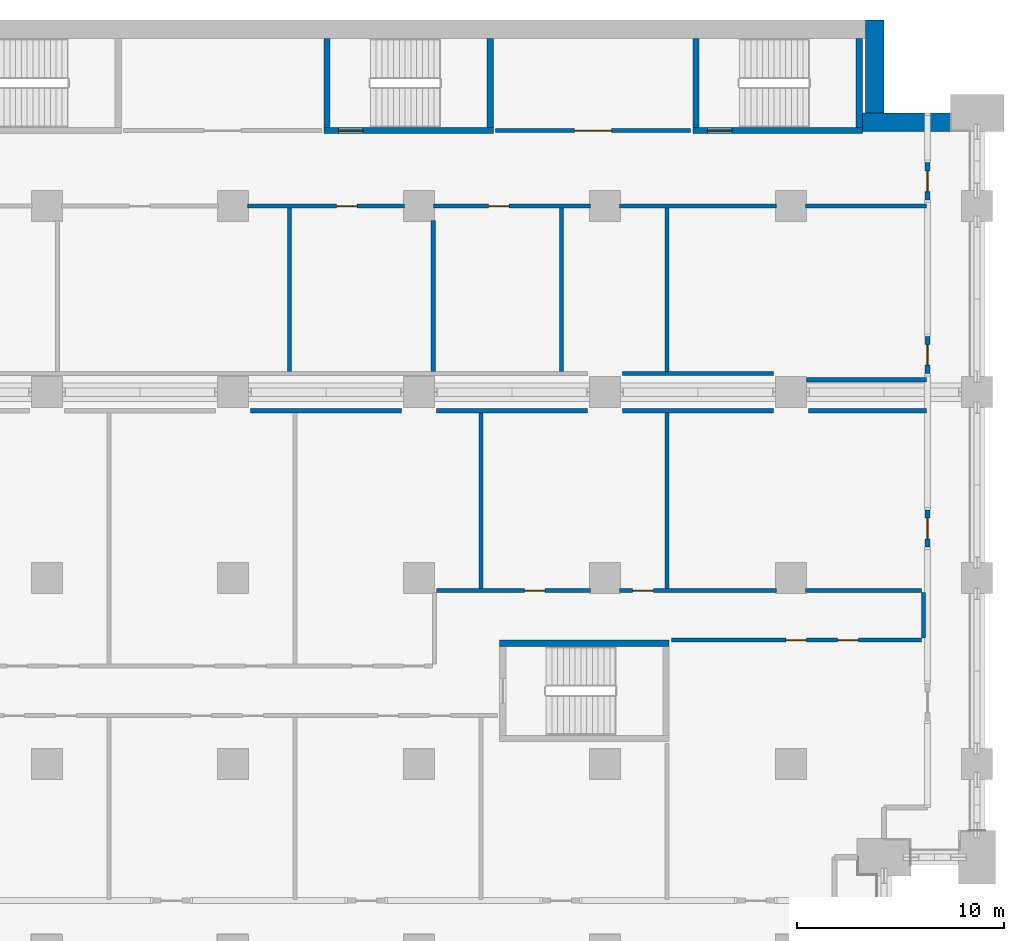
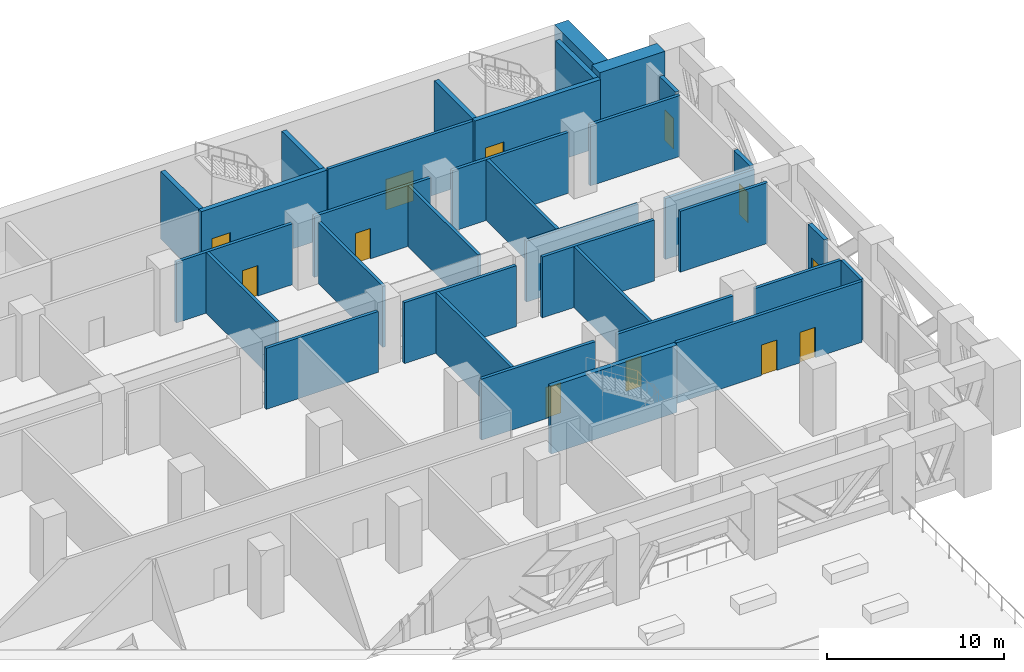
# One storey, part 19 of 31: 34 walls, 12 doors, 12 openings.
"""IFC4 building model written with IfcOpenShell, lengths in metres."""

import ifcopenshell
import ifcopenshell.guid

model = None  # the IFC model being written
_history = None  # IfcOwnerHistory: only IFC2X3 demands one
_inside = {}  # id of a spatial element -> (the spatial element, [elements in it])
_under = {}  # id of a project, library or spatial element -> (it, [spatial elements below it])
_declared = {}  # id of a project -> (the project, [libraries it declares])
_typed = {}  # id of a type object -> (the type object, [elements of that type])
_made_of = {}  # id of a material, layer set ... -> (it, [elements and type objects made of it])


def new_model(schema):
    """Start an empty IFC model of exactly this schema.

    Asked for "IFC4X3", IfcOpenShell would pick the latest addendum, in which some entities
    have other attributes; the version numbers below select the first issue.
    IFC2X3 requires an IfcOwnerHistory on every rooted entity: one is made here for all.
    """
    global model, _history
    if schema == "IFC4X3":
        model = ifcopenshell.file(schema_version=(4, 3, 0, 0))
    else:
        model = ifcopenshell.file(schema=schema)
    _inside.clear()
    _under.clear()
    _declared.clear()
    _typed.clear()
    _made_of.clear()
    _history = None
    if model.schema == "IFC2X3":
        org = make("IfcOrganization", Name="unknown")
        user = make(
            "IfcPersonAndOrganization",
            ThePerson=make("IfcPerson", FamilyName="unknown"),
            TheOrganization=org,
        )
        app = make(
            "IfcApplication",
            ApplicationDeveloper=org,
            Version="unknown",
            ApplicationFullName="unknown",
            ApplicationIdentifier="unknown",
        )
        _history = make(
            "IfcOwnerHistory",
            OwningUser=user,
            OwningApplication=app,
            ChangeAction="ADDED",
            CreationDate=0,
        )
    return model


def make(cls, **values):
    """One entity of the class cls with the attributes given. An attribute that is None is left unset."""
    return model.create_entity(
        cls, **{name: value for name, value in values.items() if value is not None}
    )


def rooted(cls, **values):
    """An entity with a GlobalId (a new one), such as an element, a storey or a relation."""
    return make(cls, GlobalId=ifcopenshell.guid.new(), OwnerHistory=_history, **values)


def si_unit(unit_type, name, prefix=None):
    """IfcSIUnit, for example si_unit("LENGTHUNIT", "METRE", prefix="MILLI")."""
    return make("IfcSIUnit", UnitType=unit_type, Prefix=prefix, Name=name)


def assignment(units):
    """IfcUnitAssignment: the units of a project."""
    return None if units is None else make("IfcUnitAssignment", Units=units)


def point(xyz):
    """IfcCartesianPoint."""
    return None if xyz is None else make("IfcCartesianPoint", Coordinates=xyz)


def direction(xyz):
    """IfcDirection."""
    return None if xyz is None else make("IfcDirection", DirectionRatios=xyz)


def frame(location, z_axis=None, x_axis=None):
    """IfcAxis2Placement3D, a coordinate frame: its origin and axes. An axis left out is left unset."""
    return make(
        "IfcAxis2Placement3D",
        Location=point(location),
        Axis=direction(z_axis),
        RefDirection=direction(x_axis),
    )


def frame_2d(location, x_axis=None):
    """IfcAxis2Placement2D, a coordinate frame in the plane: its origin and x axis."""
    return make(
        "IfcAxis2Placement2D", Location=point(location), RefDirection=direction(x_axis)
    )


def origin():
    """The frame at (0, 0, 0) with its axes left unset."""
    return frame((0.0, 0.0, 0.0))


def place(relative_to, where):
    """IfcLocalPlacement: puts the frame where relative to a parent placement (None: the world)."""
    return make(
        "IfcLocalPlacement", PlacementRelTo=relative_to, RelativePlacement=where
    )


def context(
    kind, dimensions, precision=None, world=None, true_north=None, identifier=None
):
    """IfcGeometricRepresentationContext, for example the 3D "Model" context."""
    return make(
        "IfcGeometricRepresentationContext",
        ContextIdentifier=identifier,
        ContextType=kind,
        CoordinateSpaceDimension=dimensions,
        Precision=precision,
        WorldCoordinateSystem=world,
        TrueNorth=true_north,
    )


def subcontext(parent, identifier, kind, view, scale=None):
    """IfcGeometricRepresentationSubContext, for example "Body" below "Model"."""
    return make(
        "IfcGeometricRepresentationSubContext",
        ContextIdentifier=identifier,
        ContextType=kind,
        ParentContext=parent,
        TargetScale=scale,
        TargetView=view,
    )


def project(units=None, contexts=None):
    """IfcProject with its units and contexts."""
    return rooted(
        "IfcProject",
        Name="project",
        RepresentationContexts=contexts,
        UnitsInContext=assignment(units),
    )


def spatial(cls, under=None, at=None, **own):
    """A site, building, storey or space (cls), placed at a placement, below another one or the project."""
    s = rooted(cls, ObjectPlacement=at, **own)
    if under is not None:
        _under.setdefault(under.id(), (under, []))[1].append(s)
    return s


def profile(cls, at=None, kind="AREA", **sizes):
    """A parametric profile (cls). Its sizes go by their IFC names, for example OverallWidth=200.0."""
    return make(cls, ProfileType=kind, Position=at, **sizes)


def rectangle(**sizes):
    """IfcRectangleProfileDef."""
    return profile("IfcRectangleProfileDef", **sizes)


def extrude(swept, where, along, depth):
    """IfcExtrudedAreaSolid: the profile swept, set in the frame where, extruded along a direction by depth."""
    return make(
        "IfcExtrudedAreaSolid",
        SweptArea=swept,
        Position=where,
        ExtrudedDirection=direction(along),
        Depth=depth,
    )


def shape(context_of_items, identifier, shape_type, items):
    """IfcShapeRepresentation: the items that make up one representation, for example the "Body"."""
    return make(
        "IfcShapeRepresentation",
        ContextOfItems=context_of_items,
        RepresentationIdentifier=identifier,
        RepresentationType=shape_type,
        Items=items,
    )


def material(Name=None, Category=None):
    """IfcMaterial."""
    return make("IfcMaterial", Name=Name, Category=Category)


def layer(
    of_material, thickness, ventilated=None, Name=None, Category=None, Priority=None
):
    """IfcMaterialLayer: one layer of a wall or slab, of a material (None: an air gap)."""
    return make(
        "IfcMaterialLayer",
        Material=of_material,
        LayerThickness=thickness,
        IsVentilated=ventilated,
        Name=Name,
        Category=Category,
        Priority=Priority,
    )


def layer_set(layers, Name=None):
    """IfcMaterialLayerSet."""
    return make("IfcMaterialLayerSet", MaterialLayers=layers, LayerSetName=Name)


def made_of(thing, what):
    """Note that an element or type object is made of a material, layer set ...; save() writes the relation."""
    if what is not None:
        _made_of.setdefault(what.id(), (what, []))[1].append(thing)
    return thing


def type_object(cls, material=None, **own):
    """A type object (cls), such as IfcWallType, which elements share."""
    return made_of(rooted(cls, **own), material)


def element(
    cls,
    number,
    at=None,
    inside=None,
    cuts=None,
    type_object=None,
    material=None,
    context=None,
    identifier="Body",
    shape_type=None,
    held_by="IfcProductDefinitionShape",
    body=None,
    shapes=None,
    **own,
):
    """One element of the class cls, such as IfcWall. Its Tag is "e" and its number.

    at: its placement. inside: the storey or other place that contains it. cuts: it is an
    opening in that element (IfcRelVoidsElement). A single representation is given by context,
    identifier, shape_type and body (its items); several are given by shapes. held_by: the class
    of the entity that holds the representations. save() writes the other relations.
    """
    e = rooted(cls, Tag="e%d" % number, ObjectPlacement=at, **own)
    if body is not None:
        shapes = [shape(context, identifier, shape_type, body)]
    if shapes is not None:
        e.Representation = make(held_by, Representations=shapes)
    if inside is not None:
        _inside.setdefault(inside.id(), (inside, []))[1].append(e)
    if cuts is not None:
        rooted(
            "IfcRelVoidsElement", RelatingBuildingElement=cuts, RelatedOpeningElement=e
        )
    if type_object is not None:
        _typed.setdefault(type_object.id(), (type_object, []))[1].append(e)
    return made_of(e, material)


def fill(opening, filler):
    """IfcRelFillsElement: the door or window that sits in an opening."""
    return rooted(
        "IfcRelFillsElement",
        RelatingOpeningElement=opening,
        RelatedBuildingElement=filler,
    )


def aggregate(whole, parts):
    """IfcRelAggregates: a whole, such as a stair, and the parts it consists of."""
    return rooted("IfcRelAggregates", RelatingObject=whole, RelatedObjects=parts)


def save(model, path):
    """Write the relations noted so far, then the file.

    IfcRelAggregates (storeys below a building ...), IfcRelContainedInSpatialStructure (elements
    in a storey), IfcRelDefinesByType, IfcRelAssociatesMaterial and IfcRelDeclares: one each for
    every whole, place, type object, material and project.
    """
    for whole, parts in _under.values():
        aggregate(whole, parts)
    for where, things in _inside.values():
        rooted(
            "IfcRelContainedInSpatialStructure",
            RelatedElements=things,
            RelatingStructure=where,
        )
    for kind, things in _typed.values():
        rooted("IfcRelDefinesByType", RelatedObjects=things, RelatingType=kind)
    for what, things in _made_of.values():
        rooted("IfcRelAssociatesMaterial", RelatedObjects=things, RelatingMaterial=what)
    for by, libraries in _declared.values():
        rooted("IfcRelDeclares", RelatingContext=by, RelatedDefinitions=libraries)
    model.write(path)


model = new_model("IFC4")

# Units and contexts
model_context = context("Model", 3, precision=1e-05, world=origin(), true_north=direction((0.0, 1.0)))
body_context = subcontext(model_context, "Body", "Model", "MODEL_VIEW")
ifc_project = project(units=[si_unit("LENGTHUNIT", "METRE"), si_unit("AREAUNIT", "SQUARE_METRE"), si_unit("VOLUMEUNIT", "CUBIC_METRE"), si_unit("PLANEANGLEUNIT", "RADIAN"), si_unit("MASSUNIT", "GRAM", prefix="KILO")], contexts=[model_context])

# Site, building, storey
site_placement = place(None, origin())
site = spatial("IfcSite", under=ifc_project, at=site_placement, CompositionType="ELEMENT")
building_placement = place(site_placement, origin())
building = spatial("IfcBuilding", under=site, at=building_placement, Name="Hunhe Ridgeline Campus", CompositionType="ELEMENT")
storey_placement = place(building_placement, frame((0.0, 0.0, 31.199951171875)))
storey = spatial("IfcBuildingStorey", under=building, at=storey_placement, Name="L06", CompositionType="ELEMENT", Elevation=31.199951171875)

# Wall, openings, doors
ifc_material_1 = material(Name="Gypsum board partition")
ifc_layer_1 = layer(ifc_material_1, 0.199951171875)
ifc_layer_set_1 = layer_set([ifc_layer_1], Name="Corridor partition 200 gypsum board on steel studs")
wall_type_1 = type_object("IfcWallType", Name="Corridor partition 200 gypsum board on steel studs", PredefinedType="PARTITIONING", material=ifc_layer_set_1)
wall_1_placement = place(storey_placement, frame((96.300048828125, 69.0, 0.0), z_axis=(0.0, 0.0, 1.0), x_axis=(-1.0, 0.0, 0.0)))
wall_1 = element("IfcWall", 1, at=wall_1_placement, inside=storey, type_object=wall_type_1, Name="F-L06-wall-030", PredefinedType="PARTITIONING", context=body_context, shape_type="SweptSolid", body=[
    extrude(rectangle(XDim=12.095947265625, YDim=0.199951171875, at=frame_2d((6.0478515625, 0.0))), origin(), (0.0, 0.0, 1.0), 4.199951171875),
])
opening_1_placement = place(wall_1_placement, frame((5.548095703125, 0.0, 0.0)))
opening_1 = element("IfcOpeningElement", 2, at=opening_1_placement, cuts=wall_1, Name="Opening RD1-034", PredefinedType="OPENING", context=body_context, shape_type="SweptSolid", body=[
    extrude(rectangle(XDim=1.0, YDim=2.10009765625, at=frame_2d((0.5, 1.050048828125))), frame((0.0, 0.10009765625, 0.0), z_axis=(0.0, -1.0, 0.0), x_axis=(1.0, 0.0, 0.0)), (0.0, 0.0, 1.0), 0.199951171875),
])
opening_2_placement = place(wall_1_placement, frame((3.048095703125, 0.0, 0.0)))
opening_2 = element("IfcOpeningElement", 3, at=opening_2_placement, cuts=wall_1, Name="Opening RD1-035", PredefinedType="OPENING", context=body_context, shape_type="SweptSolid", body=[
    extrude(rectangle(XDim=1.0, YDim=2.10009765625, at=frame_2d((0.5, 1.050048828125))), frame((0.0, 0.10009765625, 0.0), z_axis=(0.0, -1.0, 0.0), x_axis=(1.0, 0.0, 0.0)), (0.0, 0.0, 1.0), 0.199951171875),
])
ifc_material_2 = material(Name="Timber door leaf", Category="wood")
door_type_1 = type_object("IfcDoorType", Name="Single fire door 1000x2100 timber FD60", OperationType="NOTDEFINED", PredefinedType="DOOR", material=ifc_material_2)
door_1_placement = place(opening_1_placement, frame((1.0, 0.0, 0.0), z_axis=(0.0, 0.0, 1.0), x_axis=(-1.0, 0.0, 0.0)))
door_1 = element("IfcDoor", 4, at=door_1_placement, inside=storey, type_object=door_type_1, Name="F-L06-door-034", OperationType="SINGLE_SWING_RIGHT", OverallHeight=2.10009765625, OverallWidth=1.0, PredefinedType="DOOR", context=body_context, shape_type="SweptSolid", body=[
    extrude(rectangle(XDim=1.0, YDim=2.10009765625, at=frame_2d((0.5, 1.050048828125))), frame((0.0, 0.02490234375, 0.0), z_axis=(0.0, -1.0, 0.0), x_axis=(1.0, 0.0, 0.0)), (0.0, 0.0, 1.0), 0.050048828125),
])
fill(opening_1, door_1)
door_2_placement = place(opening_2_placement, frame((1.0, 0.0, 0.0), z_axis=(0.0, 0.0, 1.0), x_axis=(-1.0, 0.0, 0.0)))
door_2 = element("IfcDoor", 5, at=door_2_placement, inside=storey, type_object=door_type_1, Name="F-L06-door-035", OperationType="SINGLE_SWING_RIGHT", OverallHeight=2.10009765625, OverallWidth=1.0, PredefinedType="DOOR", context=body_context, shape_type="SweptSolid", body=[
    extrude(rectangle(XDim=1.0, YDim=2.10009765625, at=frame_2d((0.5, 1.050048828125))), frame((0.0, 0.02490234375, 0.0), z_axis=(0.0, -1.0, 0.0), x_axis=(1.0, 0.0, 0.0)), (0.0, 0.0, 1.0), 0.050048828125),
])
fill(opening_2, door_2)

# Wall, opening, door
wall_2_placement = place(storey_placement, frame((72.85009765625, 71.39990234375, 0.0), z_axis=(0.0, 0.0, 1.0), x_axis=(1.0, 0.0, 0.0)))
wall_2 = element("IfcWall", 6, at=wall_2_placement, inside=storey, type_object=wall_type_1, Name="F-L06-wall-031", PredefinedType="PARTITIONING", context=body_context, shape_type="SweptSolid", body=[
    extrude(rectangle(XDim=7.449951171875, YDim=0.199951171875, at=frame_2d((3.72509765625, 0.0))), origin(), (0.0, 0.0, 1.0), 4.199951171875),
])
opening_3_placement = place(wall_2_placement, frame((4.252685546875, 0.0, 0.0)))
opening_3 = element("IfcOpeningElement", 7, at=opening_3_placement, cuts=wall_2, Name="Opening RD1-036", PredefinedType="OPENING", context=body_context, shape_type="SweptSolid", body=[
    extrude(rectangle(XDim=1.0, YDim=2.10009765625, at=frame_2d((0.5, 1.050048828125))), frame((0.0, 0.10009765625, 0.0), z_axis=(0.0, -1.0, 0.0), x_axis=(1.0, 0.0, 0.0)), (0.0, 0.0, 1.0), 0.199951171875),
])
door_3_placement = place(opening_3_placement, frame((1.0, 0.0, 0.0), z_axis=(0.0, 0.0, 1.0), x_axis=(-1.0, 0.0, 0.0)))
door_3 = element("IfcDoor", 8, at=door_3_placement, inside=storey, type_object=door_type_1, Name="F-L06-door-036", OperationType="SINGLE_SWING_LEFT", OverallHeight=2.10009765625, OverallWidth=1.0, PredefinedType="DOOR", context=body_context, shape_type="SweptSolid", body=[
    extrude(rectangle(XDim=1.0, YDim=2.10009765625, at=frame_2d((0.5, 1.050048828125))), frame((0.0, 0.02490234375, 0.0), z_axis=(0.0, -1.0, 0.0), x_axis=(1.0, 0.0, 0.0)), (0.0, 0.0, 1.0), 0.050048828125),
])
fill(opening_3, door_3)

wall_3_placement = place(storey_placement, frame((81.699951171875, 71.39990234375, 0.0), z_axis=(0.0, 0.0, 1.0), x_axis=(1.0, 0.0, 0.0)))
wall_3 = element("IfcWall", 9, at=wall_3_placement, inside=storey, type_object=wall_type_1, Name="F-L06-wall-032", PredefinedType="PARTITIONING", context=body_context, shape_type="SweptSolid", body=[
    extrude(rectangle(XDim=7.60009765625, YDim=0.199951171875, at=frame_2d((3.800048828125, 0.0))), origin(), (0.0, 0.0, 1.0), 4.199951171875),
])
opening_4_placement = place(wall_3_placement, frame((0.639892578125, 0.0, 0.0)))
opening_4 = element("IfcOpeningElement", 10, at=opening_4_placement, cuts=wall_3, Name="Opening RD1-037", PredefinedType="OPENING", context=body_context, shape_type="SweptSolid", body=[
    extrude(rectangle(XDim=1.0, YDim=2.10009765625, at=frame_2d((0.5, 1.050048828125))), frame((0.0, 0.10009765625, 0.0), z_axis=(0.0, -1.0, 0.0), x_axis=(1.0, 0.0, 0.0)), (0.0, 0.0, 1.0), 0.199951171875),
])
door_4_placement = place(opening_4_placement, frame((1.0, 0.0, 0.0), z_axis=(0.0, 0.0, 1.0), x_axis=(-1.0, 0.0, 0.0)))
door_4 = element("IfcDoor", 11, at=door_4_placement, inside=storey, type_object=door_type_1, Name="F-L06-door-037", OperationType="SINGLE_SWING_LEFT", OverallHeight=2.10009765625, OverallWidth=1.0, PredefinedType="DOOR", context=body_context, shape_type="SweptSolid", body=[
    extrude(rectangle(XDim=1.0, YDim=2.10009765625, at=frame_2d((0.5, 1.050048828125))), frame((0.0, 0.02490234375, 0.0), z_axis=(0.0, -1.0, 0.0), x_axis=(1.0, 0.0, 0.0)), (0.0, 0.0, 1.0), 0.050048828125),
])
fill(opening_4, door_4)

# Walls
wall_4_placement = place(storey_placement, frame((90.699951171875, 71.39990234375, 0.0), z_axis=(0.0, 0.0, 1.0), x_axis=(1.0, 0.0, 0.0)))
element("IfcWall", 12, at=wall_4_placement, inside=storey, type_object=wall_type_1, Name="F-L06-wall-033", PredefinedType="PARTITIONING", context=body_context, shape_type="SweptSolid", body=[
    extrude(rectangle(XDim=5.60009765625, YDim=0.199951171875, at=frame_2d((2.800048828125, 0.0))), origin(), (0.0, 0.0, 1.0), 4.199951171875),
])
for number, where, z_axis, x_axis, name in (
    (13, (63.85009765625, 80.10009765625, 0.0), (0.0, 0.0, 1.0), (1.0, 0.0, 0.0), "F-L06-wall-037"),
    (14, (72.85009765625, 80.10009765625, 0.0), (0.0, 0.0, 1.0), (1.0, 0.0, 0.0), "F-L06-wall-038"),
    (15, (81.85009765625, 80.10009765625, 0.0), (0.0, 0.0, 1.0), (1.0, 0.0, 0.0), "F-L06-wall-039"),
):
    element("IfcWall", number, at=place(storey_placement, frame(where, z_axis=z_axis, x_axis=x_axis)), inside=storey, type_object=wall_type_1, Name=name, PredefinedType="PARTITIONING", context=body_context, shape_type="SweptSolid", body=[
        extrude(rectangle(XDim=7.2998046875, YDim=0.199951171875, at=frame_2d((3.64990234375, 0.0))), origin(), (0.0, 0.0, 1.0), 4.199951171875),
    ])
wall_5_placement = place(storey_placement, frame((90.85009765625, 80.10009765625, 0.0), z_axis=(0.0, 0.0, 1.0), x_axis=(1.0, 0.0, 0.0)))
element("IfcWall", 16, at=wall_5_placement, inside=storey, type_object=wall_type_1, Name="F-L06-wall-040", PredefinedType="PARTITIONING", context=body_context, shape_type="SweptSolid", body=[
    extrude(rectangle(XDim=5.69482421875, YDim=0.199951171875, at=frame_2d((2.847412109375, 0.0))), origin(), (0.0, 0.0, 1.0), 4.199951171875),
])
wall_6_placement = place(storey_placement, frame((90.75, 81.60009765625, 0.0), z_axis=(0.0, 0.0, 1.0), x_axis=(1.0, 0.0, 0.0)))
element("IfcWall", 17, at=wall_6_placement, inside=storey, type_object=wall_type_1, Name="F-L06-wall-041", PredefinedType="PARTITIONING", context=body_context, shape_type="SweptSolid", body=[
    extrude(rectangle(XDim=5.794921875, YDim=0.199951171875, at=frame_2d((2.8974609375, 0.0))), origin(), (0.0, 0.0, 1.0), 4.199951171875),
])
wall_7_placement = place(storey_placement, frame((81.85009765625, 81.89990234375, 0.0), z_axis=(0.0, 0.0, 1.0), x_axis=(1.0, 0.0, 0.0)))
element("IfcWall", 18, at=wall_7_placement, inside=storey, type_object=wall_type_1, Name="F-L06-wall-043", PredefinedType="PARTITIONING", context=body_context, shape_type="SweptSolid", body=[
    extrude(rectangle(XDim=7.2998046875, YDim=0.199951171875, at=frame_2d((3.64990234375, 0.0))), origin(), (0.0, 0.0, 1.0), 4.199951171875),
])
wall_8_placement = place(storey_placement, frame((96.544921875, 90.0, 0.0), z_axis=(0.0, 0.0, 1.0), x_axis=(-1.0, 0.0, 0.0)))
element("IfcWall", 19, at=wall_8_placement, inside=storey, type_object=wall_type_1, Name="F-L06-wall-044", PredefinedType="PARTITIONING", context=body_context, shape_type="SweptSolid", body=[
    extrude(rectangle(XDim=5.844970703125, YDim=0.199951171875, at=frame_2d((2.92236328125, 0.0))), origin(), (0.0, 0.0, 1.0), 4.199951171875),
])

# Wall, opening, door
wall_9_placement = place(storey_placement, frame((71.300048828125, 90.0, 0.0), z_axis=(0.0, 0.0, 1.0), x_axis=(-1.0, 0.0, 0.0)))
wall_9 = element("IfcWall", 20, at=wall_9_placement, inside=storey, type_object=wall_type_1, Name="F-L06-wall-048", PredefinedType="PARTITIONING", context=body_context, shape_type="SweptSolid", body=[
    extrude(rectangle(XDim=7.60009765625, YDim=0.199951171875, at=frame_2d((3.800048828125, 0.0))), origin(), (0.0, 0.0, 1.0), 4.199951171875),
])
opening_5_placement = place(wall_9_placement, frame((2.28662109375, 0.0, 0.0)))
opening_5 = element("IfcOpeningElement", 21, at=opening_5_placement, cuts=wall_9, Name="Opening RD1-043", PredefinedType="OPENING", context=body_context, shape_type="SweptSolid", body=[
    extrude(rectangle(XDim=1.0, YDim=2.10009765625, at=frame_2d((0.5, 1.050048828125))), frame((0.0, 0.10009765625, 0.0), z_axis=(0.0, -1.0, 0.0), x_axis=(1.0, 0.0, 0.0)), (0.0, 0.0, 1.0), 0.199951171875),
])
door_5_placement = place(opening_5_placement, frame((1.0, 0.0, 0.0), z_axis=(0.0, 0.0, 1.0), x_axis=(-1.0, 0.0, 0.0)))
door_5 = element("IfcDoor", 22, at=door_5_placement, inside=storey, type_object=door_type_1, Name="F-L06-door-043", OperationType="SINGLE_SWING_RIGHT", OverallHeight=2.10009765625, OverallWidth=1.0, PredefinedType="DOOR", context=body_context, shape_type="SweptSolid", body=[
    extrude(rectangle(XDim=1.0, YDim=2.10009765625, at=frame_2d((0.5, 1.050048828125))), frame((0.0, 0.02490234375, 0.0), z_axis=(0.0, -1.0, 0.0), x_axis=(1.0, 0.0, 0.0)), (0.0, 0.0, 1.0), 0.050048828125),
])
fill(opening_5, door_5)

wall_10_placement = place(storey_placement, frame((80.300048828125, 90.0, 0.0), z_axis=(0.0, 0.0, 1.0), x_axis=(-1.0, 0.0, 0.0)))
wall_10 = element("IfcWall", 23, at=wall_10_placement, inside=storey, type_object=wall_type_1, Name="F-L06-wall-049", PredefinedType="PARTITIONING", context=body_context, shape_type="SweptSolid", body=[
    extrude(rectangle(XDim=7.60009765625, YDim=0.199951171875, at=frame_2d((3.800048828125, 0.0))), origin(), (0.0, 0.0, 1.0), 4.199951171875),
])
opening_6_placement = place(wall_10_placement, frame((3.933349609375, 0.0, 0.0)))
opening_6 = element("IfcOpeningElement", 24, at=opening_6_placement, cuts=wall_10, Name="Opening RD1-044", PredefinedType="OPENING", context=body_context, shape_type="SweptSolid", body=[
    extrude(rectangle(XDim=1.0, YDim=2.10009765625, at=frame_2d((0.5, 1.050048828125))), frame((0.0, 0.10009765625, 0.0), z_axis=(0.0, -1.0, 0.0), x_axis=(1.0, 0.0, 0.0)), (0.0, 0.0, 1.0), 0.199951171875),
])
door_6_placement = place(opening_6_placement, frame((1.0, 0.0, 0.0), z_axis=(0.0, 0.0, 1.0), x_axis=(-1.0, 0.0, 0.0)))
door_6 = element("IfcDoor", 25, at=door_6_placement, inside=storey, type_object=door_type_1, Name="F-L06-door-044", OperationType="SINGLE_SWING_RIGHT", OverallHeight=2.10009765625, OverallWidth=1.0, PredefinedType="DOOR", context=body_context, shape_type="SweptSolid", body=[
    extrude(rectangle(XDim=1.0, YDim=2.10009765625, at=frame_2d((0.5, 1.050048828125))), frame((0.0, 0.02490234375, 0.0), z_axis=(0.0, -1.0, 0.0), x_axis=(1.0, 0.0, 0.0)), (0.0, 0.0, 1.0), 0.050048828125),
])
fill(opening_6, door_6)

# Wall
wall_11_placement = place(storey_placement, frame((89.300048828125, 90.0, 0.0), z_axis=(0.0, 0.0, 1.0), x_axis=(-1.0, 0.0, 0.0)))
element("IfcWall", 26, at=wall_11_placement, inside=storey, type_object=wall_type_1, Name="F-L06-wall-050", PredefinedType="PARTITIONING", context=body_context, shape_type="SweptSolid", body=[
    extrude(rectangle(XDim=7.60009765625, YDim=0.199951171875, at=frame_2d((3.800048828125, 0.0))), origin(), (0.0, 0.0, 1.0), 4.199951171875),
])

# Wall, opening, door
wall_12_placement = place(storey_placement, frame((75.7041015625, 93.64990234375, 0.0), z_axis=(0.0, 0.0, 1.0), x_axis=(1.0, 0.0, 0.0)))
wall_12 = element("IfcWall", 27, at=wall_12_placement, inside=storey, type_object=wall_type_1, Name="F-L06-wall-053", PredefinedType="PARTITIONING", context=body_context, shape_type="SweptSolid", body=[
    extrude(rectangle(XDim=9.44189453125, YDim=0.199951171875, at=frame_2d((4.720947265625, 0.0))), origin(), (0.0, 0.0, 1.0), 4.199951171875),
])
opening_7_placement = place(wall_12_placement, frame((3.821044921875, 0.0, 0.0)))
opening_7 = element("IfcOpeningElement", 28, at=opening_7_placement, cuts=wall_12, Name="Opening RD2-047", PredefinedType="OPENING", context=body_context, shape_type="SweptSolid", body=[
    extrude(rectangle(XDim=1.800048828125, YDim=2.10009765625, at=frame_2d((0.89990234375, 1.050048828125))), frame((0.0, 0.10009765625, 0.0), z_axis=(0.0, -1.0, 0.0), x_axis=(1.0, 0.0, 0.0)), (0.0, 0.0, 1.0), 0.199951171875),
])
door_type_2 = type_object("IfcDoorType", Name="Double fire door 1800x2100 timber FD60", OperationType="DOUBLE_DOOR_SINGLE_SWING", PredefinedType="DOOR", material=ifc_material_2)
door_7_placement = place(opening_7_placement, origin())
door_7 = element("IfcDoor", 29, at=door_7_placement, inside=storey, type_object=door_type_2, Name="F-L06-door-047", OperationType="DOUBLE_DOOR_SINGLE_SWING", OverallHeight=2.10009765625, OverallWidth=1.800048828125, PredefinedType="DOOR", context=body_context, shape_type="SweptSolid", body=[
    extrude(rectangle(XDim=1.800048828125, YDim=2.10009765625, at=frame_2d((0.89990234375, 1.050048828125))), frame((0.0, 0.02490234375, 0.0), z_axis=(0.0, -1.0, 0.0), x_axis=(1.0, 0.0, 0.0)), (0.0, 0.0, 1.0), 0.050048828125),
])
fill(opening_7, door_7)

# Walls
wall_13_placement = place(storey_placement, frame((65.738037109375, 89.89990234375, 0.0), z_axis=(0.0, 0.0, 1.0), x_axis=(0.0, -1.0, 0.0)))
element("IfcWall", 30, at=wall_13_placement, inside=storey, type_object=wall_type_1, Name="F-L06-wall-078", PredefinedType="PARTITIONING", context=body_context, shape_type="SweptSolid", body=[
    extrude(rectangle(XDim=7.89990234375, YDim=0.199951171875, at=frame_2d((3.949951171875, 0.0))), origin(), (0.0, 0.0, 1.0), 4.199951171875),
])
wall_14_placement = place(storey_placement, frame((72.68994140625, 89.300048828125, 0.0), z_axis=(0.0, 0.0, 1.0), x_axis=(0.0, -1.0, 0.0)))
element("IfcWall", 31, at=wall_14_placement, inside=storey, type_object=wall_type_1, Name="F-L06-wall-081", PredefinedType="PARTITIONING", context=body_context, shape_type="SweptSolid", body=[
    extrude(rectangle(XDim=7.300048828125, YDim=0.199951171875, at=frame_2d((3.64990234375, 0.0))), origin(), (0.0, 0.0, 1.0), 4.199951171875),
])
wall_15_placement = place(storey_placement, frame((75.0, 80.0, 0.0), z_axis=(0.0, 0.0, 1.0), x_axis=(0.0, -1.0, 0.0)))
element("IfcWall", 32, at=wall_15_placement, inside=storey, type_object=wall_type_1, Name="F-L06-wall-084", PredefinedType="PARTITIONING", context=body_context, shape_type="SweptSolid", body=[
    extrude(rectangle(XDim=8.5, YDim=0.199951171875, at=frame_2d((4.25, 0.0))), origin(), (0.0, 0.0, 1.0), 4.199951171875),
])
wall_16_placement = place(storey_placement, frame((78.89306640625, 89.89990234375, 0.0), z_axis=(0.0, 0.0, 1.0), x_axis=(0.0, -1.0, 0.0)))
element("IfcWall", 33, at=wall_16_placement, inside=storey, type_object=wall_type_1, Name="F-L06-wall-085", PredefinedType="PARTITIONING", context=body_context, shape_type="SweptSolid", body=[
    extrude(rectangle(XDim=7.89990234375, YDim=0.199951171875, at=frame_2d((3.949951171875, 0.0))), origin(), (0.0, 0.0, 1.0), 4.199951171875),
])
wall_17_placement = place(storey_placement, frame((84.0, 80.0, 0.0), z_axis=(0.0, 0.0, 1.0), x_axis=(0.0, -1.0, 0.0)))
element("IfcWall", 34, at=wall_17_placement, inside=storey, type_object=wall_type_1, Name="F-L06-wall-087", PredefinedType="PARTITIONING", context=body_context, shape_type="SweptSolid", body=[
    extrude(rectangle(XDim=8.5, YDim=0.199951171875, at=frame_2d((4.25, 0.0))), origin(), (0.0, 0.0, 1.0), 4.199951171875),
])
wall_18_placement = place(storey_placement, frame((84.0, 89.89990234375, 0.0), z_axis=(0.0, 0.0, 1.0), x_axis=(0.0, -1.0, 0.0)))
element("IfcWall", 35, at=wall_18_placement, inside=storey, type_object=wall_type_1, Name="F-L06-wall-088", PredefinedType="PARTITIONING", context=body_context, shape_type="SweptSolid", body=[
    extrude(rectangle(XDim=7.89990234375, YDim=0.199951171875, at=frame_2d((3.949951171875, 0.0))), origin(), (0.0, 0.0, 1.0), 4.199951171875),
])
wall_19_placement = place(storey_placement, frame((96.39990234375, 71.300048828125, 0.0), z_axis=(0.0, 0.0, 1.0), x_axis=(0.0, -1.0, 0.0)))
element("IfcWall", 36, at=wall_19_placement, inside=storey, type_object=wall_type_1, Name="F-L06-wall-089", PredefinedType="PARTITIONING", context=body_context, shape_type="SweptSolid", body=[
    extrude(rectangle(XDim=2.199951171875, YDim=0.199951171875, at=frame_2d((1.10009765625, 0.0))), origin(), (0.0, 0.0, 1.0), 4.199951171875),
])

# Wall, opening, door
ifc_material_3 = material(Name="Concrete C30", Category="concrete")
ifc_layer_2 = layer(ifc_material_3, 0.25)
ifc_layer_set_2 = layer_set([ifc_layer_2], Name="Loggia door pier wall 250 Concrete C30")
wall_type_2 = type_object("IfcWallType", Name="Loggia door pier wall 250 Concrete C30", PredefinedType="SOLIDWALL", material=ifc_layer_set_2)
wall_20_placement = place(storey_placement, frame((96.59912109375, 73.500732421875, 0.0), z_axis=(0.0, 0.0, 1.0), x_axis=(0.0, 1.0, 0.0)))
wall_20 = element("IfcWall", 37, at=wall_20_placement, inside=storey, type_object=wall_type_2, Name="Loggia door pier 18", PredefinedType="SOLIDWALL", context=body_context, shape_type="SweptSolid", body=[
    extrude(rectangle(XDim=1.7998046875, YDim=0.25, at=frame_2d((0.89990234375, 0.0))), origin(), (0.0, 0.0, 1.0), 4.199951171875),
])
opening_8_placement = place(wall_20_placement, frame((0.39990234375, 0.0, 0.0)))
opening_8 = element("IfcOpeningElement", 38, at=opening_8_placement, cuts=wall_20, Name="Opening BR118", PredefinedType="OPENING", context=body_context, shape_type="SweptSolid", body=[
    extrude(rectangle(XDim=1.0, YDim=2.10009765625, at=frame_2d((0.5, 1.050048828125))), frame((0.0, 0.125, 0.0), z_axis=(0.0, -1.0, 0.0), x_axis=(1.0, 0.0, 0.0)), (0.0, 0.0, 1.0), 0.25),
])
ifc_material_4 = material(Name="Aluminium 6063", Category="aluminium")
door_type_3 = type_object("IfcDoorType", Name="Loggia glazed door 1000x2100", OperationType="NOTDEFINED", PredefinedType="DOOR", material=ifc_material_4)
door_8_placement = place(opening_8_placement, frame((1.0, 0.0, 0.0), z_axis=(0.0, 0.0, 1.0), x_axis=(-1.0, 0.0, 0.0)))
door_8 = element("IfcDoor", 39, at=door_8_placement, inside=storey, type_object=door_type_3, Name="Loggia door BR118", OperationType="SINGLE_SWING_LEFT", OverallHeight=2.10009765625, OverallWidth=1.0, PredefinedType="DOOR", context=body_context, shape_type="SweptSolid", body=[
    extrude(rectangle(XDim=1.0, YDim=2.10009765625, at=frame_2d((0.5, 1.050048828125))), frame((0.0, 0.02490234375, 0.0), z_axis=(0.0, -1.0, 0.0), x_axis=(1.0, 0.0, 0.0)), (0.0, 0.0, 1.0), 0.050048828125),
])
fill(opening_8, door_8)

wall_21_placement = place(storey_placement, frame((96.59912109375, 81.900390625, 0.0), z_axis=(0.0, 0.0, 1.0), x_axis=(0.0, 1.0, 0.0)))
wall_21 = element("IfcWall", 40, at=wall_21_placement, inside=storey, type_object=wall_type_2, Name="Loggia door pier 19", PredefinedType="SOLIDWALL", context=body_context, shape_type="SweptSolid", body=[
    extrude(rectangle(XDim=1.800048828125, YDim=0.25, at=frame_2d((0.89990234375, 0.0))), origin(), (0.0, 0.0, 1.0), 4.199951171875),
])
opening_9_placement = place(wall_21_placement, frame((0.39990234375, 0.0, 0.0)))
opening_9 = element("IfcOpeningElement", 41, at=opening_9_placement, cuts=wall_21, Name="Opening BR119", PredefinedType="OPENING", context=body_context, shape_type="SweptSolid", body=[
    extrude(rectangle(XDim=1.0, YDim=2.10009765625, at=frame_2d((0.5, 1.050048828125))), frame((0.0, 0.125, 0.0), z_axis=(0.0, -1.0, 0.0), x_axis=(1.0, 0.0, 0.0)), (0.0, 0.0, 1.0), 0.25),
])
door_9_placement = place(opening_9_placement, frame((1.0, 0.0, 0.0), z_axis=(0.0, 0.0, 1.0), x_axis=(-1.0, 0.0, 0.0)))
door_9 = element("IfcDoor", 42, at=door_9_placement, inside=storey, type_object=door_type_3, Name="Loggia door BR119", OperationType="SINGLE_SWING_RIGHT", OverallHeight=2.10009765625, OverallWidth=1.0, PredefinedType="DOOR", context=body_context, shape_type="SweptSolid", body=[
    extrude(rectangle(XDim=1.0, YDim=2.10009765625, at=frame_2d((0.5, 1.050048828125))), frame((0.0, 0.02490234375, 0.0), z_axis=(0.0, -1.0, 0.0), x_axis=(1.0, 0.0, 0.0)), (0.0, 0.0, 1.0), 0.050048828125),
])
fill(opening_9, door_9)

wall_22_placement = place(storey_placement, frame((96.59912109375, 90.300048828125, 0.0), z_axis=(0.0, 0.0, 1.0), x_axis=(0.0, 1.0, 0.0)))
wall_22 = element("IfcWall", 43, at=wall_22_placement, inside=storey, type_object=wall_type_2, Name="Loggia door pier 20", PredefinedType="SOLIDWALL", context=body_context, shape_type="SweptSolid", body=[
    extrude(rectangle(XDim=1.800048828125, YDim=0.25, at=frame_2d((0.89990234375, 0.0))), origin(), (0.0, 0.0, 1.0), 4.199951171875),
])
opening_10_placement = place(wall_22_placement, frame((0.39990234375, 0.0, 0.0)))
opening_10 = element("IfcOpeningElement", 44, at=opening_10_placement, cuts=wall_22, Name="Opening BR120", PredefinedType="OPENING", context=body_context, shape_type="SweptSolid", body=[
    extrude(rectangle(XDim=1.0, YDim=2.10009765625, at=frame_2d((0.5, 1.050048828125))), frame((0.0, 0.125, 0.0), z_axis=(0.0, -1.0, 0.0), x_axis=(1.0, 0.0, 0.0)), (0.0, 0.0, 1.0), 0.25),
])
door_10_placement = place(opening_10_placement, frame((1.0, 0.0, 0.0), z_axis=(0.0, 0.0, 1.0), x_axis=(-1.0, 0.0, 0.0)))
door_10 = element("IfcDoor", 45, at=door_10_placement, inside=storey, type_object=door_type_3, Name="Loggia door BR120", OperationType="SINGLE_SWING_LEFT", OverallHeight=2.10009765625, OverallWidth=1.0, PredefinedType="DOOR", context=body_context, shape_type="SweptSolid", body=[
    extrude(rectangle(XDim=1.0, YDim=2.10009765625, at=frame_2d((0.5, 1.050048828125))), frame((0.0, 0.02490234375, 0.0), z_axis=(0.0, -1.0, 0.0), x_axis=(1.0, 0.0, 0.0)), (0.0, 0.0, 1.0), 0.050048828125),
])
fill(opening_10, door_10)

# Walls
ifc_material_5 = material(Name="Concrete C80", Category="concrete")
ifc_layer_3 = layer(ifc_material_5, 0.89990234375)
ifc_layer_set_3 = layer_set([ifc_layer_3], Name="Spine wall 900 Concrete C80")
wall_type_3 = type_object("IfcWallType", Name="Spine wall 900 Concrete C80", PredefinedType="SHEAR", material=ifc_layer_set_3)
wall_23_placement = place(storey_placement, frame((97.699951171875, 94.050048828125, 0.0), z_axis=(0.0, 0.0, 1.0), x_axis=(-1.0, 0.0, 0.0)))
element("IfcWall", 46, at=wall_23_placement, inside=storey, type_object=wall_type_3, Name="Spine wall SW1-2 L06", PredefinedType="SHEAR", context=body_context, shape_type="SweptSolid", body=[
    extrude(rectangle(XDim=4.25048828125, YDim=0.89990234375, at=frame_2d((2.125244140625, 0.0))), origin(), (0.0, 0.0, 1.0), 4.60009765625),
])
wall_24_placement = place(storey_placement, frame((94.050048828125, 93.60009765625, 0.0), z_axis=(0.0, 0.0, 1.0), x_axis=(0.0, 1.0, 0.0)))
element("IfcWall", 47, at=wall_24_placement, inside=storey, type_object=wall_type_3, Name="Spine wall SW1-3 L06", PredefinedType="SHEAR", context=body_context, shape_type="SweptSolid", body=[
    extrude(rectangle(XDim=5.39990234375, YDim=0.89990234375, at=frame_2d((2.699951171875, 0.0))), origin(), (0.0, 0.0, 1.0), 4.60009765625),
])
ifc_layer_4 = layer(ifc_material_5, 0.300048828125)
ifc_layer_set_4 = layer_set([ifc_layer_4], Name="Stair wall 300 reinforced concrete C80")
wall_type_4 = type_object("IfcWallType", Name="Stair wall 300 reinforced concrete C80", PredefinedType="SOLIDWALL", material=ifc_layer_set_4)
wall_25_placement = place(storey_placement, frame((75.89990234375, 68.85009765625, -0.449951171875), z_axis=(0.0, 0.0, 1.0), x_axis=(1.0, 0.0, 0.0)))
element("IfcWall", 48, at=wall_25_placement, inside=storey, type_object=wall_type_4, Name="L06 core wall 11", PredefinedType="SOLIDWALL", context=body_context, shape_type="SweptSolid", body=[
    extrude(rectangle(XDim=8.2001953125, YDim=0.300048828125, at=frame_2d((4.10009765625, 0.0))), origin(), (0.0, 0.0, 1.0), 4.64990234375),
])

# Wall, opening, door
wall_26_placement = place(storey_placement, frame((67.39990234375, 93.64990234375, -0.449951171875), z_axis=(0.0, 0.0, 1.0), x_axis=(1.0, 0.0, 0.0)))
wall_26 = element("IfcWall", 49, at=wall_26_placement, inside=storey, type_object=wall_type_4, Name="L06 core wall 34", PredefinedType="SOLIDWALL", context=body_context, shape_type="SweptSolid", body=[
    extrude(rectangle(XDim=8.2001953125, YDim=0.300048828125, at=frame_2d((4.10009765625, 0.0))), origin(), (0.0, 0.0, 1.0), 4.64990234375),
])
opening_11_placement = place(wall_26_placement, frame((0.699951171875, 0.0, 0.449951171875)))
opening_11 = element("IfcOpeningElement", 50, at=opening_11_placement, cuts=wall_26, Name="Opening CD19", PredefinedType="OPENING", context=body_context, shape_type="SweptSolid", body=[
    extrude(rectangle(XDim=1.199951171875, YDim=2.10009765625, at=frame_2d((0.60009765625, 1.050048828125))), frame((0.0, 0.14990234375, 0.0), z_axis=(0.0, -1.0, 0.0), x_axis=(1.0, 0.0, 0.0)), (0.0, 0.0, 1.0), 0.300048828125),
])
ifc_material_6 = material(Name="Hollow metal fire door leaf")
door_type_4 = type_object("IfcDoorType", Name="Stair door 1200x2100 FD60", OperationType="SINGLE_SWING_LEFT", PredefinedType="DOOR", material=ifc_material_6)
door_11_placement = place(opening_11_placement, frame((1.199951171875, 0.0, 0.0), z_axis=(0.0, 0.0, 1.0), x_axis=(-1.0, 0.0, 0.0)))
door_11 = element("IfcDoor", 51, at=door_11_placement, inside=storey, type_object=door_type_4, Name="L06 door E3", OperationType="SINGLE_SWING_RIGHT", OverallHeight=2.10009765625, OverallWidth=1.199951171875, PredefinedType="DOOR", context=body_context, shape_type="SweptSolid", body=[
    extrude(rectangle(XDim=1.199951171875, YDim=2.10009765625, at=frame_2d((0.60009765625, 1.050048828125))), frame((0.0, 0.02490234375, 0.0), z_axis=(0.0, -1.0, 0.0), x_axis=(1.0, 0.0, 0.0)), (0.0, 0.0, 1.0), 0.050048828125),
])
fill(opening_11, door_11)

wall_27_placement = place(storey_placement, frame((85.25, 93.64990234375, -0.449951171875), z_axis=(0.0, 0.0, 1.0), x_axis=(1.0, 0.0, 0.0)))
wall_27 = element("IfcWall", 52, at=wall_27_placement, inside=storey, type_object=wall_type_4, Name="L06 core wall 35", PredefinedType="SOLIDWALL", context=body_context, shape_type="SweptSolid", body=[
    extrude(rectangle(XDim=8.199951171875, YDim=0.300048828125, at=frame_2d((4.10009765625, 0.0))), origin(), (0.0, 0.0, 1.0), 4.64990234375),
])
opening_12_placement = place(wall_27_placement, frame((0.699951171875, 0.0, 0.449951171875)))
opening_12 = element("IfcOpeningElement", 53, at=opening_12_placement, cuts=wall_27, Name="Opening CD20", PredefinedType="OPENING", context=body_context, shape_type="SweptSolid", body=[
    extrude(rectangle(XDim=1.199951171875, YDim=2.10009765625, at=frame_2d((0.60009765625, 1.050048828125))), frame((0.0, 0.14990234375, 0.0), z_axis=(0.0, -1.0, 0.0), x_axis=(1.0, 0.0, 0.0)), (0.0, 0.0, 1.0), 0.300048828125),
])
door_12_placement = place(opening_12_placement, frame((1.199951171875, 0.0, 0.0), z_axis=(0.0, 0.0, 1.0), x_axis=(-1.0, 0.0, 0.0)))
door_12 = element("IfcDoor", 54, at=door_12_placement, inside=storey, type_object=door_type_4, Name="L06 door E4", OperationType="SINGLE_SWING_LEFT", OverallHeight=2.10009765625, OverallWidth=1.199951171875, PredefinedType="DOOR", context=body_context, shape_type="SweptSolid", body=[
    extrude(rectangle(XDim=1.199951171875, YDim=2.10009765625, at=frame_2d((0.60009765625, 1.050048828125))), frame((0.0, 0.02490234375, 0.0), z_axis=(0.0, -1.0, 0.0), x_axis=(1.0, 0.0, 0.0)), (0.0, 0.0, 1.0), 0.050048828125),
])
fill(opening_12, door_12)

# Walls
for number, where, z_axis, x_axis, name in (
    (55, (67.550048828125, 93.800048828125, -0.449951171875), (0.0, 0.0, 1.0), (0.0, 1.0, 0.0), "L06 core wall 69"),
    (56, (75.449951171875, 93.800048828125, -0.449951171875), (0.0, 0.0, 1.0), (0.0, 1.0, 0.0), "L06 core wall 70"),
    (57, (85.39990234375, 93.800048828125, -0.449951171875), (0.0, 0.0, 1.0), (0.0, 1.0, 0.0), "L06 core wall 73"),
    (58, (93.300048828125, 93.800048828125, -0.449951171875), (0.0, 0.0, 1.0), (0.0, 1.0, 0.0), "L06 core wall 74"),
):
    element("IfcWall", number, at=place(storey_placement, frame(where, z_axis=z_axis, x_axis=x_axis)), inside=storey, type_object=wall_type_4, Name=name, PredefinedType="SOLIDWALL", context=body_context, shape_type="SweptSolid", body=[
        extrude(rectangle(XDim=4.300048828125, YDim=0.300048828125, at=frame_2d((2.14990234375, 0.0))), origin(), (0.0, 0.0, 1.0), 4.64990234375),
    ])

save(model, "model.ifc")
